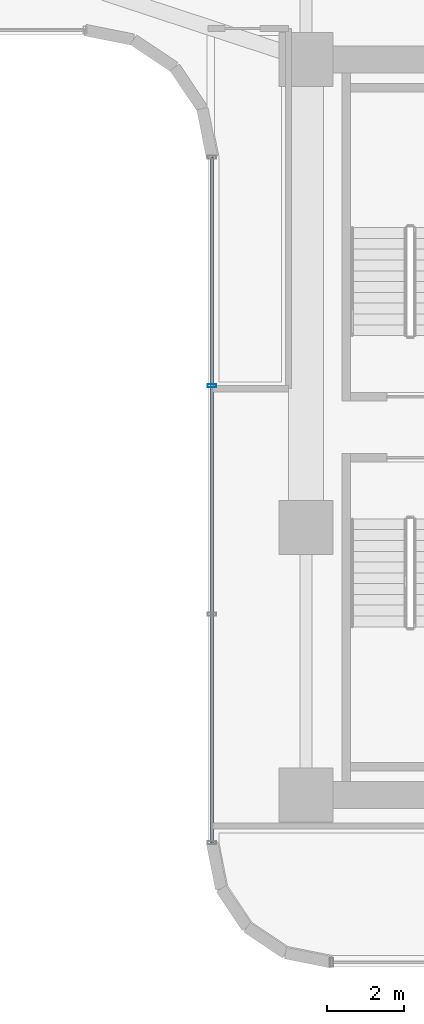
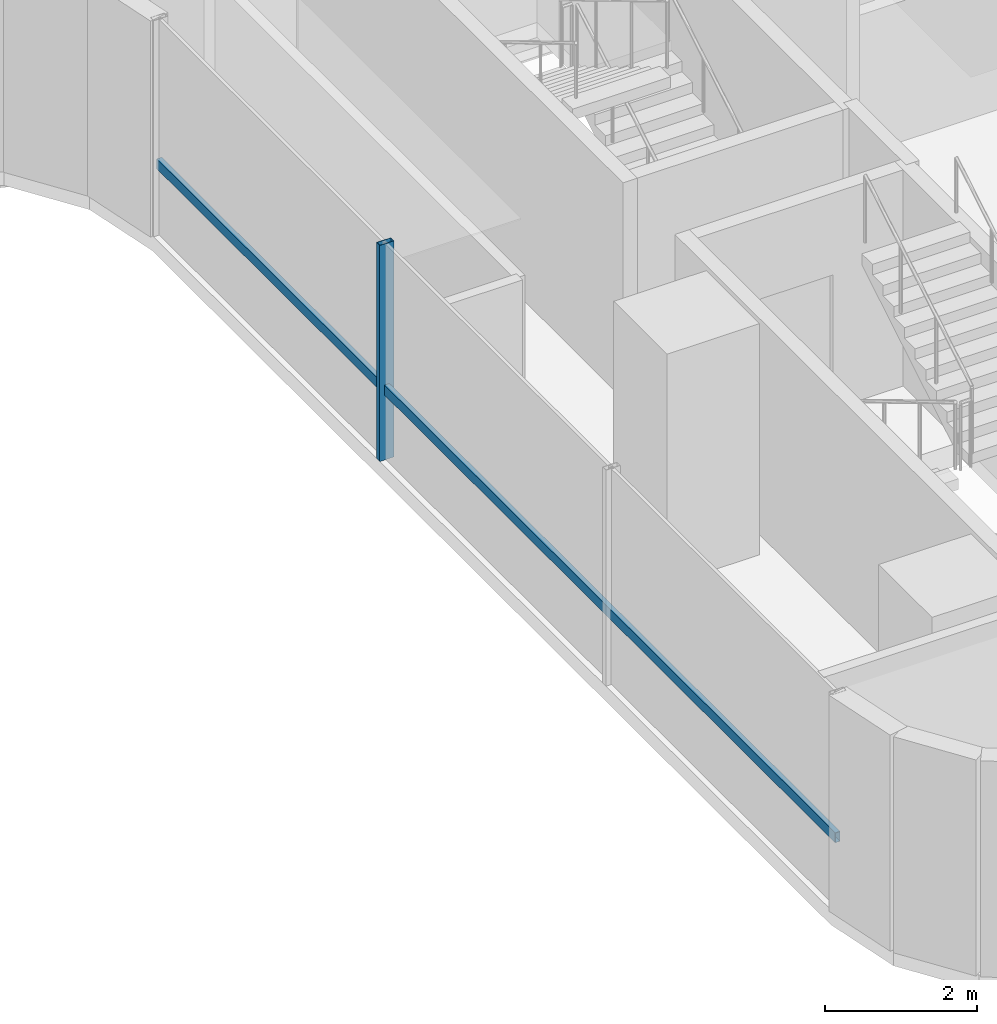
# One storey, part 14 of 40: 2 members, 1 element without a shape of its own.
"""IFC4 building model written with IfcOpenShell, lengths in metres."""

from ifc_helpers import new_model, si_unit, direction, frame, origin, origin_2d, place, context, subcontext, project, spatial, hollow_rectangle, extrude, source, transform, mapped, material, material_profile, profile_set, type_object, element, aggregate, save


model = new_model("IFC4")

# Units and contexts
model_context = context("Model", 3, precision=1e-05, world=origin(), true_north=direction((0.0, 1.0)))
body_context = subcontext(model_context, "Body", "Model", "MODEL_VIEW")
ifc_project = project(units=[si_unit("LENGTHUNIT", "METRE"), si_unit("AREAUNIT", "SQUARE_METRE"), si_unit("VOLUMEUNIT", "CUBIC_METRE"), si_unit("PLANEANGLEUNIT", "RADIAN"), si_unit("MASSUNIT", "GRAM", prefix="KILO")], contexts=[model_context])

# Site, building, storey
site_placement = place(None, origin())
site = spatial("IfcSite", under=ifc_project, at=site_placement, CompositionType="ELEMENT")
building_placement = place(site_placement, origin())
building = spatial("IfcBuilding", under=site, at=building_placement, Name="Valdorenza Pilgrim Sanctuary Tower", CompositionType="ELEMENT")
storey_placement = place(building_placement, frame((0.0, 0.0, 66.699951171875)))
storey = spatial("IfcBuildingStorey", under=building, at=storey_placement, Name="L16", CompositionType="ELEMENT", Elevation=66.699951171875)

# Curtain wall, members
ifc_material_1 = material(Name="Curtain-wall IGU glazing", Category="glass")
curtain_wall_type = type_object("IfcCurtainWallType", Name="CW-SYS-03", PredefinedType="NOTDEFINED", material=ifc_material_1)
curtain_wall_placement = place(storey_placement, origin())
curtain_wall = element("IfcCurtainWall", 1, at=curtain_wall_placement, inside=storey, type_object=curtain_wall_type, Name="L16 Curtain Wall CW-L16-1-31", PredefinedType="NOTDEFINED")
ifc_material_2 = material(Name="Anodised aluminium AW-6060", Category="aluminium")
ifc_material_profile_1 = material_profile(ifc_material_2, hollow_rectangle(XDim=0.0849609375, YDim=0.219970703125, WallThickness=0.0048828125, at=origin_2d()), Name="ALU-M 220x85x5")
ifc_profile_set_1 = profile_set([ifc_material_profile_1], Name="Anodised aluminium AW-6060")
member_type_1 = type_object("IfcMemberType", Name="CW-MUL-03", PredefinedType="MULLION", material=ifc_profile_set_1)
shared_shape_1 = source(origin(), body_context, "Body", "SweptSolid", [
    extrude(hollow_rectangle(XDim=0.0849609375, YDim=0.219970703125, WallThickness=0.0048828125, at=origin_2d()), origin(), (0.0, 0.0, 1.0), 3.4599609375),
])
member_1_placement = place(storey_placement, frame((13.409912109375, 1.077392578125, 0.0), z_axis=(0.0, 0.0, 1.0), x_axis=(0.0, 1.0, 0.0)))
member_1 = element("IfcMember", 2, at=member_1_placement, type_object=member_type_1, Name="CW-L16-1-31 Mullion 3", PredefinedType="MULLION", context=body_context, shape_type="MappedRepresentation", body=[
    mapped(shared_shape_1, transform((0.0, 0.0, 0.0), x_axis=(1.0, 0.0, 0.0), y_axis=(0.0, 1.0, 0.0), z_axis=(0.0, 0.0, 1.0), scale=1.0)),
])
ifc_material_profile_2 = material_profile(ifc_material_2, hollow_rectangle(XDim=0.074951171875, YDim=0.159912109375, WallThickness=0.00390625, at=origin_2d()), Name="ALU-T 160x75x4")
ifc_profile_set_2 = profile_set([ifc_material_profile_2], Name="Anodised aluminium AW-6060")
member_type_2 = type_object("IfcMemberType", Name="CW-TRN-03", PredefinedType="USERDEFINED", material=ifc_profile_set_2)
shared_shape_2 = source(origin(), body_context, "Body", "SweptSolid", [
    extrude(hollow_rectangle(XDim=0.074951171875, YDim=0.159912109375, WallThickness=0.00390625, at=origin_2d()), origin(), (0.0, 0.0, 1.0), 17.800048828125),
])
member_2_placement = place(storey_placement, frame((13.409912109375, -10.789306640625, 1.1201171875), z_axis=(0.0, 1.0, 0.0), x_axis=(-1.0, 0.0, 0.0)))
member_2 = element("IfcMember", 3, at=member_2_placement, type_object=member_type_2, Name="CW-L16-1-31 Transom 1", ObjectType="TRANSOM", PredefinedType="USERDEFINED", context=body_context, shape_type="MappedRepresentation", body=[
    mapped(shared_shape_2, transform((0.0, 0.0, 0.0), x_axis=(1.0, 0.0, 0.0), y_axis=(0.0, 1.0, 0.0), z_axis=(0.0, 0.0, 1.0), scale=1.0)),
])
aggregate(curtain_wall, [member_1, member_2])

save(model, "model.ifc")
